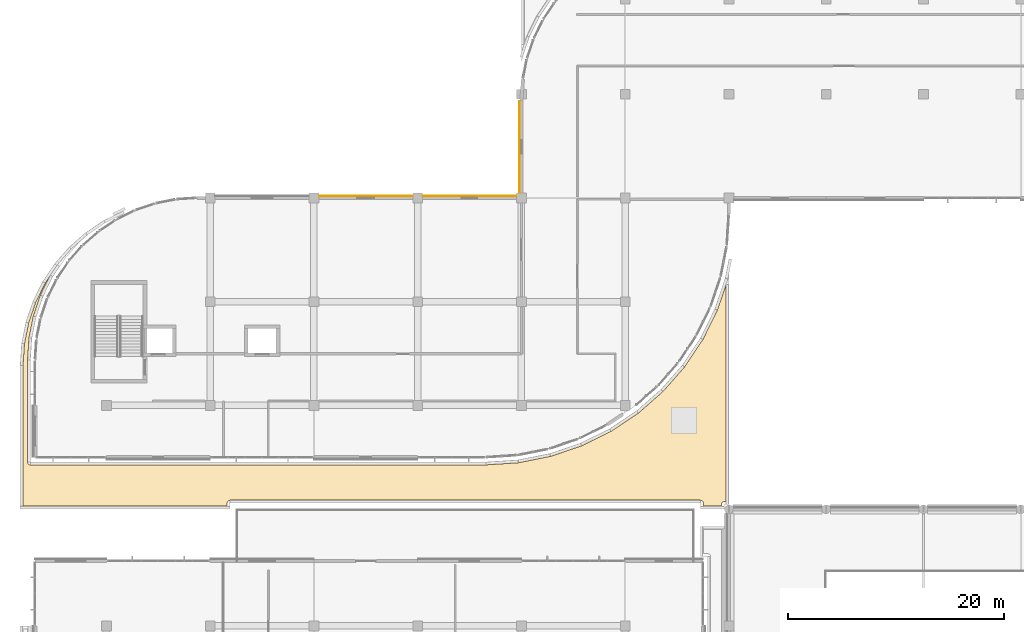
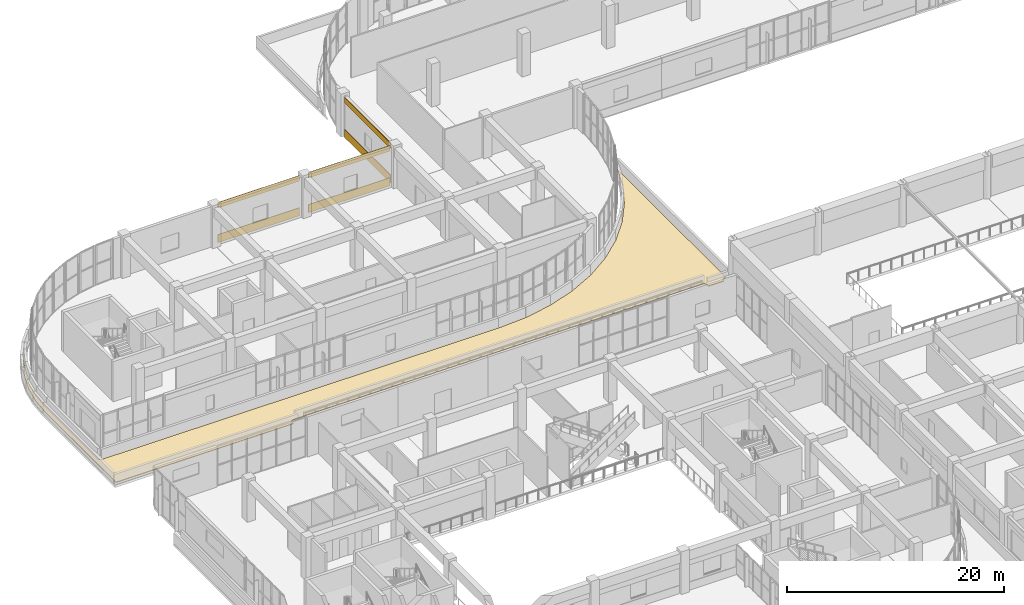
# One storey, part 87 of 96: 7 coverings.
"""IFC4 building model written with IfcOpenShell, lengths in metres."""

from ifc_helpers import new_model, si_unit, direction, frame, origin, origin_2d, place, context, subcontext, project, spatial, polyline, rectangle, outline, extrude, material, layer, layer_set, type_object, element, save


model = new_model("IFC4")

# Units and contexts
model_context = context("Model", 3, precision=1e-05, world=origin(), true_north=direction((0.0, 1.0)))
body_context = subcontext(model_context, "Body", "Model", "MODEL_VIEW")
ifc_project = project(units=[si_unit("LENGTHUNIT", "METRE"), si_unit("AREAUNIT", "SQUARE_METRE"), si_unit("VOLUMEUNIT", "CUBIC_METRE"), si_unit("PLANEANGLEUNIT", "RADIAN"), si_unit("MASSUNIT", "GRAM", prefix="KILO")], contexts=[model_context])

# Site, building, storey
site_placement = place(None, origin())
site = spatial("IfcSite", under=ifc_project, at=site_placement, CompositionType="ELEMENT")
building_placement = place(site_placement, origin())
building = spatial("IfcBuilding", under=site, at=building_placement, Name="Cendralis Terraced Arcade", CompositionType="ELEMENT")
storey_placement = place(building_placement, frame((0.0, 0.0, 10.199951171875)))
storey = spatial("IfcBuildingStorey", under=building, at=storey_placement, Name="L02", CompositionType="ELEMENT", Elevation=10.199951171875)

# Coverings
ifc_material_1 = material(Name="Precast concrete f'c 40 MPa", Category="concrete")
ifc_layer_1 = layer(ifc_material_1, 0.06494140625, Name="COV-CLAD-GRC-65")
ifc_layer_set_1 = layer_set([ifc_layer_1], Name="Precast concrete f'c 40 MPa")
covering_type_1 = type_object("IfcCoveringType", Name="COV-CLAD-GRC-65", PredefinedType="CLADDING", material=ifc_layer_set_1)
covering_1_placement = place(storey_placement, frame((33.60009765625, 88.97998046875, 0.0), z_axis=(0.0, 0.0, 1.0), x_axis=(1.0, 0.0, 0.0)))
element("IfcCovering", 1, at=covering_1_placement, inside=storey, type_object=covering_type_1, Name="Banded Precast Stone Spandrel Cladding L02-261", PredefinedType="CLADDING", context=body_context, shape_type="SweptSolid", body=[
    extrude(rectangle(XDim=8.64404296875, YDim=0.06494140625, at=origin_2d()), origin(), (0.0, 0.0, 1.0), 0.89990234375),
])
covering_2_placement = place(storey_placement, frame((33.60009765625, 88.97998046875, 3.89501953125), z_axis=(0.0, 0.0, 1.0), x_axis=(1.0, 0.0, 0.0)))
element("IfcCovering", 2, at=covering_2_placement, inside=storey, type_object=covering_type_1, Name="Banded Precast Stone Lintel Cladding L02-262", PredefinedType="CLADDING", context=body_context, shape_type="SweptSolid", body=[
    extrude(rectangle(XDim=8.64404296875, YDim=0.06494140625, at=origin_2d()), origin(), (0.0, 0.0, 1.0), 0.60009765625),
])
covering_3_placement = place(storey_placement, frame((43.199951171875, 88.97998046875, 0.0), z_axis=(0.0, 0.0, 1.0), x_axis=(1.0, 0.0, 0.0)))
element("IfcCovering", 3, at=covering_3_placement, inside=storey, type_object=covering_type_1, Name="Banded Precast Stone Spandrel Cladding L02-263", PredefinedType="CLADDING", context=body_context, shape_type="SweptSolid", body=[
    extrude(rectangle(XDim=8.64404296875, YDim=0.06494140625, at=origin_2d()), origin(), (0.0, 0.0, 1.0), 0.89990234375),
])
covering_4_placement = place(storey_placement, frame((43.199951171875, 88.97998046875, 3.89501953125), z_axis=(0.0, 0.0, 1.0), x_axis=(1.0, 0.0, 0.0)))
element("IfcCovering", 4, at=covering_4_placement, inside=storey, type_object=covering_type_1, Name="Banded Precast Stone Lintel Cladding L02-264", PredefinedType="CLADDING", context=body_context, shape_type="SweptSolid", body=[
    extrude(rectangle(XDim=8.64404296875, YDim=0.06494140625, at=origin_2d()), origin(), (0.0, 0.0, 1.0), 0.60009765625),
])
covering_5_placement = place(storey_placement, frame((47.820068359375, 93.52392578125, 0.0), z_axis=(0.0, 0.0, 1.0), x_axis=(0.0, 1.0, 0.0)))
element("IfcCovering", 5, at=covering_5_placement, inside=storey, type_object=covering_type_1, Name="Banded Precast Stone Spandrel Cladding L02-265", PredefinedType="CLADDING", context=body_context, shape_type="SweptSolid", body=[
    extrude(rectangle(XDim=8.491943359375, YDim=0.06494140625, at=origin_2d()), origin(), (0.0, 0.0, 1.0), 0.89990234375),
])
covering_6_placement = place(storey_placement, frame((47.820068359375, 93.52392578125, 3.89501953125), z_axis=(0.0, 0.0, 1.0), x_axis=(0.0, 1.0, 0.0)))
element("IfcCovering", 6, at=covering_6_placement, inside=storey, type_object=covering_type_1, Name="Banded Precast Stone Lintel Cladding L02-266", PredefinedType="CLADDING", context=body_context, shape_type="SweptSolid", body=[
    extrude(rectangle(XDim=8.491943359375, YDim=0.06494140625, at=origin_2d()), origin(), (0.0, 0.0, 1.0), 0.60009765625),
])
ifc_material_2 = material(Name="TPO insulated waterproofing membrane")
ifc_layer_2 = layer(ifc_material_2, 0.080078125, Name="COV-ROOF-MEM-80")
ifc_layer_set_2 = layer_set([ifc_layer_2], Name="TPO insulated waterproofing membrane")
covering_type_2 = type_object("IfcCoveringType", Name="COV-ROOF-MEM-80", PredefinedType="ROOFING", material=ifc_layer_set_2)
covering_7_placement = place(storey_placement, origin())
element("IfcCovering", 7, at=covering_7_placement, inside=storey, type_object=covering_type_2, Name="Insulated Waterproofing Roof Membrane L02-01", PredefinedType="ROOFING", context=body_context, shape_type="SweptSolid", body=[
    extrude(outline(polyline([(2.399169921875, 77.239013671875), (3.0390625, 79.124267578125), (3.919677734375, 80.90966796875), (4.366455078125, 81.578369140625), (3.501708984375, 79.8251953125), (3.48779296875, 79.79150390625), (2.83935546875, 77.881103515625), (2.829833984375, 77.845947265625), (2.436279296875, 75.867431640625), (2.431640625, 75.8310546875), (2.300537109375, 73.83203125), (2.300048828125, 73.813720703125), (2.300048828125, 64.3798828125), (2.30126953125, 64.3525390625), (2.305419921875, 64.325439453125), (2.31201171875, 64.298583984375), (2.3212890625, 64.272705078125), (2.3330078125, 64.248046875), (2.34716796875, 64.224365234375), (2.363525390625, 64.202392578125), (2.382080078125, 64.181884765625), (2.40234375, 64.16357421875), (2.42431640625, 64.147216796875), (2.447998046875, 64.133056640625), (2.472900390625, 64.121337890625), (2.498779296875, 64.112060546875), (2.525390625, 64.10546875), (2.552490234375, 64.101318359375), (2.580078125, 64.10009765625), (44.7138671875, 64.10009765625), (44.732177734375, 64.1005859375), (47.710205078125, 64.2958984375), (47.746337890625, 64.300537109375), (50.68701171875, 64.885498046875), (50.722412109375, 64.89501953125), (53.5615234375, 65.858642578125), (53.59521484375, 65.872802734375), (56.2841796875, 67.19873046875), (56.31591796875, 67.217041015625), (58.808837890625, 68.8828125), (58.837890625, 68.905029296875), (61.092041015625, 70.882080078125), (61.117919921875, 70.907958984375), (63.094970703125, 73.162109375), (63.1171875, 73.191162109375), (64.782958984375, 75.68408203125), (64.80126953125, 75.7158203125), (66.127197265625, 78.40478515625), (66.141357421875, 78.4384765625), (66.919921875, 80.732666015625), (66.919921875, 60.699951171875), (66.780029296875, 60.699951171875), (66.752685546875, 60.69873046875), (66.725341796875, 60.694580078125), (66.69873046875, 60.68798828125), (66.6728515625, 60.6787109375), (66.64794921875, 60.6669921875), (66.62451171875, 60.65283203125), (66.602294921875, 60.636474609375), (66.58203125, 60.617919921875), (66.563720703125, 60.59765625), (66.547119140625, 60.57568359375), (66.533203125, 60.552001953125), (66.521240234375, 60.527099609375), (66.51220703125, 60.501220703125), (66.50537109375, 60.474609375), (66.501220703125, 60.447509765625), (66.5, 60.419921875), (66.5, 60.280029296875), (64.830078125, 60.280029296875), (64.830078125, 60.550048828125), (64.82861328125, 60.577392578125), (64.82470703125, 60.6044921875), (64.81787109375, 60.63134765625), (64.80859375, 60.6572265625), (64.796875, 60.681884765625), (64.78271484375, 60.70556640625), (64.766357421875, 60.7275390625), (64.748046875, 60.748046875), (64.7275390625, 60.766357421875), (64.70556640625, 60.78271484375), (64.681884765625, 60.796875), (64.6572265625, 60.80859375), (64.63134765625, 60.81787109375), (64.6044921875, 60.82470703125), (64.577392578125, 60.82861328125), (64.550048828125, 60.830078125), (21.050048828125, 60.830078125), (21.022705078125, 60.82861328125), (20.995361328125, 60.82470703125), (20.96875, 60.81787109375), (20.94287109375, 60.80859375), (20.91796875, 60.796875), (20.894287109375, 60.78271484375), (20.872314453125, 60.766357421875), (20.85205078125, 60.748046875), (20.83349609375, 60.7275390625), (20.817138671875, 60.70556640625), (20.802978515625, 60.681884765625), (20.791259765625, 60.6572265625), (20.781982421875, 60.63134765625), (20.775390625, 60.6044921875), (20.771240234375, 60.577392578125), (20.77001953125, 60.550048828125), (20.77001953125, 60.280029296875), (1.8798828125, 60.280029296875), (1.8798828125, 73.290771484375), (2.0107421875, 75.28662109375), (2.399169921875, 77.239013671875)])), origin(), (0.0, 0.0, 1.0), 0.080078125),
])

save(model, "model.ifc")
